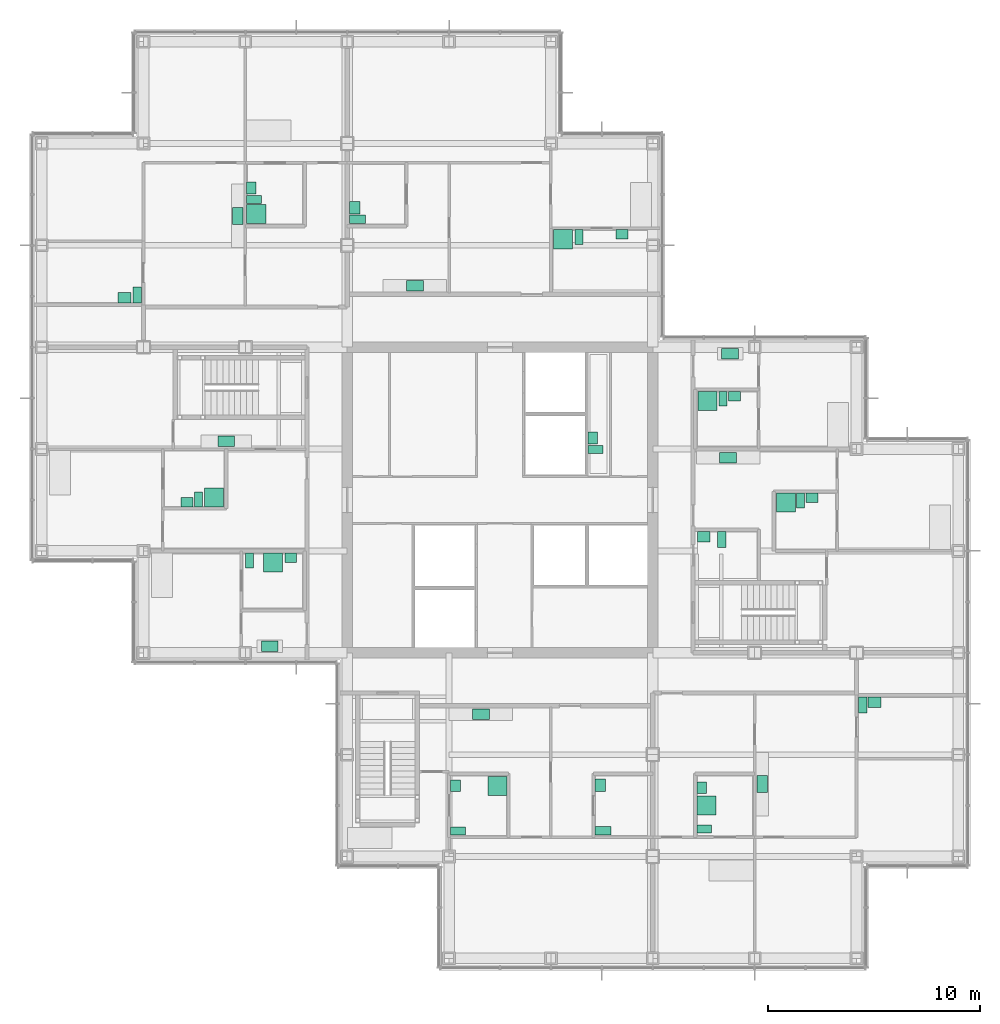
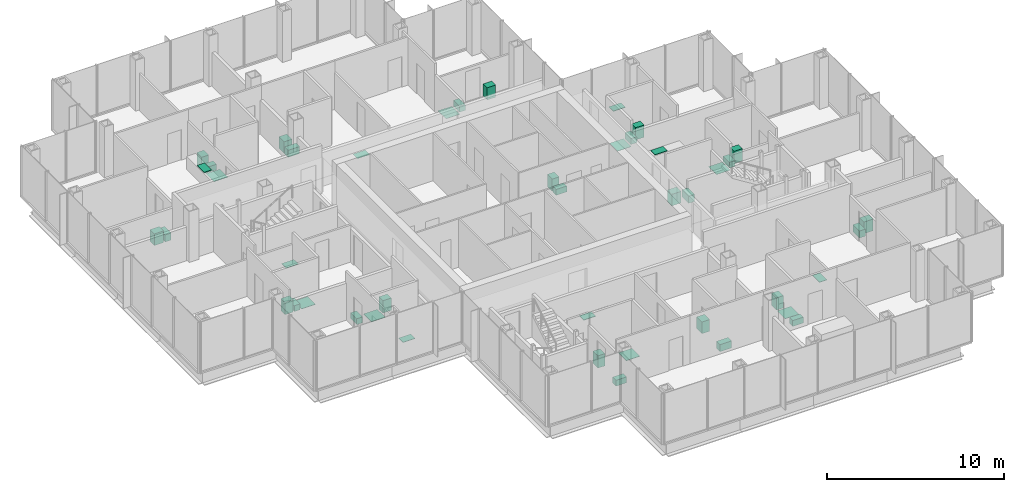
# One storey, part 19 of 20: 44 sanitary terminals.
"""IFC4 building model written with IfcOpenShell, lengths in metres."""

from ifc_helpers import new_model, si_unit, direction, frame, origin, origin_2d, place, context, subcontext, project, spatial, rectangle, extrude, material, type_object, element, save


model = new_model("IFC4")

# Units and contexts
model_context = context("Model", 3, precision=1e-05, world=origin(), true_north=direction((0.0, 1.0)))
body_context = subcontext(model_context, "Body", "Model", "MODEL_VIEW")
ifc_project = project(units=[si_unit("LENGTHUNIT", "METRE"), si_unit("AREAUNIT", "SQUARE_METRE"), si_unit("VOLUMEUNIT", "CUBIC_METRE"), si_unit("PLANEANGLEUNIT", "RADIAN"), si_unit("MASSUNIT", "GRAM", prefix="KILO")], contexts=[model_context])

# Site, building, storey
site_placement = place(None, origin())
site = spatial("IfcSite", under=ifc_project, at=site_placement, CompositionType="ELEMENT")
building_placement = place(site_placement, origin())
building = spatial("IfcBuilding", under=site, at=building_placement, Name="Kvirike Care Tower", CompositionType="ELEMENT")
storey_placement = place(building_placement, frame((0.0, 0.0, 126.0)))
storey = spatial("IfcBuildingStorey", under=building, at=storey_placement, Name="L34", CompositionType="ELEMENT", Elevation=126.0)

# Sanitary terminals
ifc_material_1 = material(Name="Vitreous china", Category="ceramic")
sanitary_terminal_type_1 = type_object("IfcSanitaryTerminalType", Name="ACCESSIBLE WASH BASIN 600 x 500", PredefinedType="WASHHANDBASIN", material=ifc_material_1)
for number, where, z_axis, x_axis, name in (
    (1, (3.89990234375, 45.527099609375, 0.02001953125), (0.0, 0.0, 1.0), (-1.0, 0.0, 0.0), "Accessible wash basin L34-015"),
    (2, (26.326904296875, 22.56005859375, 0.02001953125), (0.0, 0.0, 1.0), (0.0, 1.0, 0.0), "Accessible wash basin L34-022"),
    (3, (14.751953125, 49.77490234375, 0.02001953125), (0.0, 0.0, 1.0), (0.0, 1.0, 0.0), "Accessible wash basin L34-030"),
    (4, (39.25, 26.472900390625, 0.02001953125), (0.0, 0.0, 1.0), (1.0, 0.0, 0.0), "Accessible wash basin L34-037"),
    (5, (31.199951171875, 34.27294921875, 0.02001953125), (0.0, 0.0, 1.0), (1.0, 0.0, 0.0), "Accessible wash basin L34-044"),
):
    element("IfcSanitaryTerminal", number, at=place(storey_placement, frame(where, z_axis=z_axis, x_axis=x_axis)), inside=storey, type_object=sanitary_terminal_type_1, Name=name, PredefinedType="WASHHANDBASIN", context=body_context, shape_type="SweptSolid", body=[
        extrude(rectangle(XDim=0.60009765625, YDim=0.5, at=origin_2d()), origin(), (0.0, 0.0, 1.0), 0.800048828125),
    ])
ifc_material_2 = material(Name="Vitreous china", Category="ceramic")
sanitary_terminal_type_2 = type_object("IfcSanitaryTerminalType", Name="ACCESSIBLE WC PAN 400 x 750", PredefinedType="TOILETPAN", material=ifc_material_2)
for number, where, z_axis, x_axis, name in (
    (6, (4.5, 45.652099609375, 0.02001953125), (0.0, 0.0, 1.0), (-1.0, 0.0, 0.0), "Accessible WC pan L34-015"),
    (7, (26.451904296875, 20.409912109375, 0.02001953125), (0.0, 0.0, 1.0), (0.0, 1.0, 0.0), "Accessible WC pan L34-022"),
    (8, (14.876953125, 49.22509765625, 0.02001953125), (0.0, 0.0, 1.0), (0.0, 1.0, 0.0), "Accessible WC pan L34-030"),
    (9, (38.699951171875, 26.347900390625, 0.02001953125), (0.0, 0.0, 1.0), (1.0, 0.0, 0.0), "Accessible WC pan L34-037"),
    (10, (32.050048828125, 34.14794921875, 0.02001953125), (0.0, 0.0, 1.0), (1.0, 0.0, 0.0), "Accessible WC pan L34-044"),
):
    element("IfcSanitaryTerminal", number, at=place(storey_placement, frame(where, z_axis=z_axis, x_axis=x_axis)), inside=storey, type_object=sanitary_terminal_type_2, Name=name, PredefinedType="TOILETPAN", context=body_context, shape_type="SweptSolid", body=[
        extrude(rectangle(XDim=0.39990234375, YDim=0.75, at=origin_2d()), origin(), (0.0, 0.0, 1.0), 0.47998046875),
    ])
ifc_material_3 = material(Name="Stainless steel", Category="steel")
sanitary_terminal_type_3 = type_object("IfcSanitaryTerminalType", Name="KITCHEN SINK 800 x 500", PredefinedType="SINK", material=ifc_material_3)
for number, where, z_axis, x_axis, name in (
    (11, (8.699951171875, 38.761962890625, 0.89990234375), (0.0, 0.0, 1.0), (-1.0, 0.0, 0.0), "Kitchen sink L34-006"),
    (12, (10.75, 29.10205078125, 0.89990234375), (0.0, 0.0, 1.0), (-1.0, 0.0, 0.0), "Kitchen sink L34-010"),
    (13, (9.238037109375, 49.389892578125, 0.89990234375), (0.0, 0.0, 1.0), (0.0, -1.0, 0.0), "Kitchen sink L34-017"),
    (14, (20.699951171875, 25.89794921875, 0.89990234375), (0.0, 0.0, 1.0), (1.0, 0.0, 0.0), "Kitchen sink L34-024"),
    (15, (17.590087890625, 46.10205078125, 0.89990234375), (0.0, 0.0, 1.0), (-1.0, 0.0, 0.0), "Kitchen sink L34-032"),
    (16, (33.9619140625, 22.610107421875, 0.89990234375), (0.0, 0.0, 1.0), (0.0, 1.0, 0.0), "Kitchen sink L34-039"),
    (17, (32.35009765625, 37.998046875, 0.89990234375), (0.0, 0.0, 1.0), (1.0, 0.0, 0.0), "Kitchen sink L34-046"),
    (18, (32.449951171875, 42.89794921875, 0.89990234375), (0.0, 0.0, 1.0), (1.0, 0.0, 0.0), "Kitchen sink L34-049"),
):
    element("IfcSanitaryTerminal", number, at=place(storey_placement, frame(where, z_axis=z_axis, x_axis=x_axis)), inside=storey, type_object=sanitary_terminal_type_3, Name=name, PredefinedType="SINK", context=body_context, shape_type="SweptSolid", body=[
        extrude(rectangle(XDim=0.800048828125, YDim=0.5, at=origin_2d()), origin(), (0.0, 0.0, 1.0), 0.030029296875),
    ])
ifc_material_4 = material(Name="Stainless steel", Category="steel")
sanitary_terminal_type_4 = type_object("IfcSanitaryTerminalType", Name="LEVEL-ACCESS SHOWER 900 x 900", PredefinedType="SHOWER", material=ifc_material_4)
for number, where, z_axis, x_axis, name in (
    (19, (8.125, 36.126953125, 0.02001953125), (0.0, 0.0, 1.0), (-1.0, 0.0, 0.0), "Level-access shower L34-005"),
    (20, (10.909912109375, 33.048095703125, 0.02001953125), (0.0, 0.0, 1.0), (1.0, 0.0, 0.0), "Level-access shower L34-009"),
    (21, (10.112060546875, 49.47509765625, 0.02001953125), (0.0, 0.0, 1.0), (0.0, 1.0, 0.0), "Level-access shower L34-014"),
    (22, (21.472900390625, 22.52490234375, 0.02001953125), (0.0, 0.0, 1.0), (0.0, -1.0, 0.0), "Level-access shower L34-023"),
    (23, (24.574951171875, 48.2880859375, 0.02001953125), (0.0, 0.0, 1.0), (1.0, 0.0, 0.0), "Level-access shower L34-029"),
    (24, (31.326904296875, 21.610107421875, 0.02001953125), (0.0, 0.0, 1.0), (0.0, 1.0, 0.0), "Level-access shower L34-036"),
    (25, (35.074951171875, 35.873046875, 0.02001953125), (0.0, 0.0, 1.0), (1.0, 0.0, 0.0), "Level-access shower L34-045"),
    (26, (31.375, 40.673095703125, 0.02001953125), (0.0, 0.0, 1.0), (1.0, 0.0, 0.0), "Level-access shower L34-048"),
):
    element("IfcSanitaryTerminal", number, at=place(storey_placement, frame(where, z_axis=z_axis, x_axis=x_axis)), inside=storey, type_object=sanitary_terminal_type_4, Name=name, PredefinedType="SHOWER", context=body_context, shape_type="SweptSolid", body=[
        extrude(rectangle(XDim=0.89990234375, YDim=0.89990234375, at=origin_2d()), origin(), (0.0, 0.0, 1.0), 0.02001953125),
    ])
ifc_material_5 = material(Name="Vitreous china", Category="ceramic")
sanitary_terminal_type_5 = type_object("IfcSanitaryTerminalType", Name="WASH BASIN 550 x 450", PredefinedType="WASHHANDBASIN", material=ifc_material_5)
for number, where, z_axis, x_axis, name in (
    (27, (6.85009765625, 35.902099609375, 0.02001953125), (0.0, 0.0, 1.0), (-1.0, 0.0, 0.0), "Wash basin L34-005"),
    (28, (11.735107421875, 33.27294921875, 0.02001953125), (0.0, 0.0, 1.0), (1.0, 0.0, 0.0), "Wash basin L34-009"),
    (29, (9.886962890625, 50.699951171875, 0.02001953125), (0.0, 0.0, 1.0), (0.0, 1.0, 0.0), "Wash basin L34-014"),
    (30, (19.501953125, 22.534912109375, 0.02001953125), (0.0, 0.0, 1.0), (0.0, 1.0, 0.0), "Wash basin L34-023"),
    (31, (27.35009765625, 48.512939453125, 0.02001953125), (0.0, 0.0, 1.0), (1.0, 0.0, 0.0), "Wash basin L34-029"),
    (32, (31.10205078125, 22.43505859375, 0.02001953125), (0.0, 0.0, 1.0), (0.0, 1.0, 0.0), "Wash basin L34-036"),
    (33, (36.300048828125, 36.097900390625, 0.02001953125), (0.0, 0.0, 1.0), (1.0, 0.0, 0.0), "Wash basin L34-045"),
    (34, (32.64990234375, 40.89794921875, 0.02001953125), (0.0, 0.0, 1.0), (1.0, 0.0, 0.0), "Wash basin L34-048"),
    (35, (25.97705078125, 38.925048828125, 0.02001953125), (0.0, 0.0, 1.0), (0.0, 1.0, 0.0), "Wash basin L34-056"),
):
    element("IfcSanitaryTerminal", number, at=place(storey_placement, frame(where, z_axis=z_axis, x_axis=x_axis)), inside=storey, type_object=sanitary_terminal_type_5, Name=name, PredefinedType="WASHHANDBASIN", context=body_context, shape_type="SweptSolid", body=[
        extrude(rectangle(XDim=0.550048828125, YDim=0.449951171875, at=origin_2d()), origin(), (0.0, 0.0, 1.0), 0.85009765625),
    ])
ifc_material_6 = material(Name="Vitreous china", Category="ceramic")
sanitary_terminal_type_6 = type_object("IfcSanitaryTerminalType", Name="WC PAN 380 x 700", PredefinedType="TOILETPAN", material=ifc_material_6)
for number, where, z_axis, x_axis, name in (
    (36, (7.385009765625, 36.027099609375, 0.02001953125), (0.0, 0.0, 1.0), (-1.0, 0.0, 0.0), "WC pan L34-005"),
    (37, (9.800048828125, 33.14794921875, 0.02001953125), (0.0, 0.0, 1.0), (1.0, 0.0, 0.0), "WC pan L34-009"),
    (38, (10.011962890625, 50.1650390625, 0.02001953125), (0.0, 0.0, 1.0), (0.0, 1.0, 0.0), "WC pan L34-014"),
    (39, (19.626953125, 20.39990234375, 0.02001953125), (0.0, 0.0, 1.0), (0.0, 1.0, 0.0), "WC pan L34-023"),
    (40, (25.31494140625, 48.387939453125, 0.02001953125), (0.0, 0.0, 1.0), (1.0, 0.0, 0.0), "WC pan L34-029"),
    (41, (31.22705078125, 20.5, 0.02001953125), (0.0, 0.0, 1.0), (0.0, 1.0, 0.0), "WC pan L34-036"),
    (42, (35.764892578125, 35.972900390625, 0.02001953125), (0.0, 0.0, 1.0), (1.0, 0.0, 0.0), "WC pan L34-045"),
    (43, (32.114990234375, 40.77294921875, 0.02001953125), (0.0, 0.0, 1.0), (1.0, 0.0, 0.0), "WC pan L34-048"),
    (44, (26.10205078125, 38.389892578125, 0.02001953125), (0.0, 0.0, 1.0), (0.0, 1.0, 0.0), "WC pan L34-056"),
):
    element("IfcSanitaryTerminal", number, at=place(storey_placement, frame(where, z_axis=z_axis, x_axis=x_axis)), inside=storey, type_object=sanitary_terminal_type_6, Name=name, PredefinedType="TOILETPAN", context=body_context, shape_type="SweptSolid", body=[
        extrude(rectangle(XDim=0.3798828125, YDim=0.699951171875, at=origin_2d()), origin(), (0.0, 0.0, 1.0), 0.39990234375),
    ])

save(model, "model.ifc")
